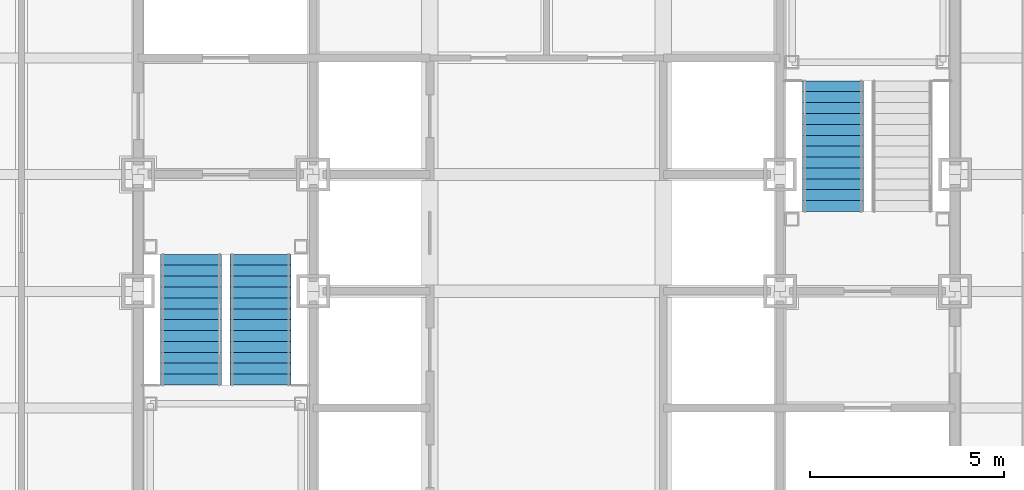
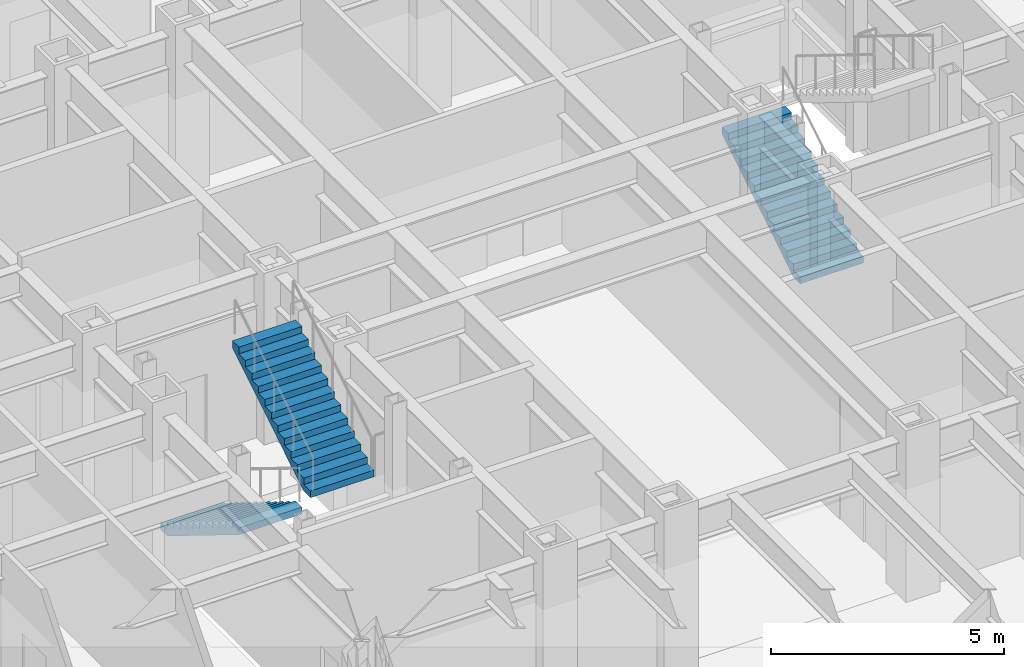
# One storey, part 12 of 17: 3 stair flights, 2 elements without a shape of their own.
"""IFC4 building model written with IfcOpenShell, lengths in metres."""

from ifc_helpers import new_model, si_unit, direction, frame, origin, place, context, subcontext, project, spatial, faceted_brep, material, type_object, element, aggregate, save


model = new_model("IFC4")

# Units and contexts
model_context = context("Model", 3, precision=1e-05, world=origin(), true_north=direction((0.0, 1.0)))
body_context = subcontext(model_context, "Body", "Model", "MODEL_VIEW")
ifc_project = project(units=[si_unit("LENGTHUNIT", "METRE"), si_unit("AREAUNIT", "SQUARE_METRE"), si_unit("VOLUMEUNIT", "CUBIC_METRE"), si_unit("PLANEANGLEUNIT", "RADIAN"), si_unit("MASSUNIT", "GRAM", prefix="KILO")], contexts=[model_context])

# Site, building, storey
site_placement = place(None, origin())
site = spatial("IfcSite", under=ifc_project, at=site_placement, CompositionType="ELEMENT")
building_placement = place(site_placement, origin())
building = spatial("IfcBuilding", under=site, at=building_placement, Name="Chuquiago Exchange Tower", CompositionType="ELEMENT")
storey_placement = place(building_placement, frame((0.0, 0.0, 42.300048828125)))
storey = spatial("IfcBuildingStorey", under=building, at=storey_placement, Name="L08", CompositionType="ELEMENT", Elevation=42.300048828125)

# Stair, stair flights
ifc_material_1 = material(Name="Concrete C30/37, precast", Category="concrete")
stair_type_1 = type_object("IfcStairType", Name="ST1 half-turn stair 4500", PredefinedType="HALF_TURN_STAIR", material=ifc_material_1)
stair_1_placement = place(storey_placement, origin())
stair_1 = element("IfcStair", 1, at=stair_1_placement, inside=storey, type_object=stair_type_1, Name="Stair ST1 L08", PredefinedType="HALF_TURN_STAIR")
ifc_material_2 = material(Name="Concrete C30/37, precast", Category="concrete")
stair_flight_type = type_object("IfcStairFlightType", Name="ST-F flight 1570 for 4500 storey", PredefinedType="STRAIGHT", material=ifc_material_2)
stair_flight_1_placement = place(storey_placement, frame((13.360107421875, 21.949951171875, 0.0), z_axis=(0.0, 0.0, 1.0), x_axis=(0.0, -1.0, 0.0)))
stair_flight_1 = element("IfcStairFlight", 2, at=stair_flight_1_placement, type_object=stair_flight_type, Name="ST1 flight 1", NumberOfRisers=13, NumberOfTreads=12, PredefinedType="STRAIGHT", RiserHeight=0.173076923, TreadLength=0.28, context=body_context, shape_type="Brep", body=[
    faceted_brep([(0.0, 0.78515625, 0.0), (0.0, 0.78515625, 0.173095703125), (0.280029296875, 0.78515625, 0.173095703125), (0.280029296875, 0.78515625, 0.34619140625), (0.56005859375, 0.78515625, 0.34619140625), (0.56005859375, 0.78515625, 0.519287109375), (0.840087890625, 0.78515625, 0.519287109375), (0.840087890625, 0.78515625, 0.6923828125), (1.1201171875, 0.78515625, 0.6923828125), (1.1201171875, 0.78515625, 0.865478515625), (1.39990234375, 0.78515625, 0.865478515625), (1.39990234375, 0.78515625, 1.03857421875), (1.679931640625, 0.78515625, 1.03857421875), (1.679931640625, 0.78515625, 1.21142578125), (1.9599609375, 0.78515625, 1.21142578125), (1.9599609375, 0.78515625, 1.384521484375), (2.239990234375, 0.78515625, 1.384521484375), (2.239990234375, 0.78515625, 1.5576171875), (2.52001953125, 0.78515625, 1.5576171875), (2.52001953125, 0.78515625, 1.730712890625), (2.800048828125, 0.78515625, 1.730712890625), (2.800048828125, 0.78515625, 1.90380859375), (3.080078125, 0.78515625, 1.90380859375), (3.080078125, 0.78515625, 2.076904296875), (3.360107421875, 0.78515625, 2.076904296875), (3.360107421875, 0.78515625, 1.900634765625), (0.28515625, 0.78515625, 0.0), (0.28515625, -0.78515625, 0.0), (3.360107421875, -0.78515625, 1.900634765625), (3.360107421875, -0.78515625, 2.076904296875), (3.080078125, -0.78515625, 2.076904296875), (3.080078125, -0.78515625, 1.90380859375), (2.800048828125, -0.78515625, 1.90380859375), (2.800048828125, -0.78515625, 1.730712890625), (2.52001953125, -0.78515625, 1.730712890625), (2.52001953125, -0.78515625, 1.5576171875), (2.239990234375, -0.78515625, 1.5576171875), (2.239990234375, -0.78515625, 1.384521484375), (1.9599609375, -0.78515625, 1.384521484375), (1.9599609375, -0.78515625, 1.21142578125), (1.679931640625, -0.78515625, 1.21142578125), (1.679931640625, -0.78515625, 1.03857421875), (1.39990234375, -0.78515625, 1.03857421875), (1.39990234375, -0.78515625, 0.865478515625), (1.1201171875, -0.78515625, 0.865478515625), (1.1201171875, -0.78515625, 0.6923828125), (0.840087890625, -0.78515625, 0.6923828125), (0.840087890625, -0.78515625, 0.519287109375), (0.56005859375, -0.78515625, 0.519287109375), (0.56005859375, -0.78515625, 0.34619140625), (0.280029296875, -0.78515625, 0.34619140625), (0.280029296875, -0.78515625, 0.173095703125), (0.0, -0.78515625, 0.173095703125), (0.0, -0.78515625, 0.0), (0.0, 0.392578125, 0.0), (0.0, 0.392578125, 0.173095703125), (0.0, 0.0, 0.0), (0.0, 0.0, 0.173095703125), (0.0, -0.392578125, 0.0), (0.0, -0.392578125, 0.173095703125), (0.280029296875, 0.392578125, 0.173095703125), (0.280029296875, 0.0, 0.173095703125), (0.280029296875, -0.392578125, 0.173095703125), (0.280029296875, 0.392578125, 0.34619140625), (0.280029296875, 0.0, 0.34619140625), (0.280029296875, -0.392578125, 0.34619140625), (0.56005859375, 0.392578125, 0.34619140625), (0.56005859375, 0.0, 0.34619140625), (0.56005859375, -0.392578125, 0.34619140625), (0.56005859375, 0.392578125, 0.519287109375), (0.56005859375, 0.0, 0.519287109375), (0.56005859375, -0.392578125, 0.519287109375), (0.840087890625, 0.392578125, 0.519287109375), (0.840087890625, 0.0, 0.519287109375), (0.840087890625, -0.392578125, 0.519287109375), (0.840087890625, 0.392578125, 0.6923828125), (0.840087890625, 0.0, 0.6923828125), (0.840087890625, -0.392578125, 0.6923828125), (1.1201171875, 0.392578125, 0.6923828125), (1.1201171875, 0.0, 0.6923828125), (1.1201171875, -0.392578125, 0.6923828125), (1.1201171875, 0.392578125, 0.865478515625), (1.1201171875, 0.0, 0.865478515625), (1.1201171875, -0.392578125, 0.865478515625), (1.39990234375, 0.392578125, 0.865478515625), (1.39990234375, 0.0, 0.865478515625), (1.39990234375, -0.392578125, 0.865478515625), (1.39990234375, 0.392578125, 1.03857421875), (1.39990234375, 0.0, 1.03857421875), (1.39990234375, -0.392578125, 1.03857421875), (1.679931640625, 0.392578125, 1.03857421875), (1.679931640625, 0.0, 1.03857421875), (1.679931640625, -0.392578125, 1.03857421875), (1.679931640625, 0.392578125, 1.21142578125), (1.679931640625, 0.0, 1.21142578125), (1.679931640625, -0.392578125, 1.21142578125), (1.9599609375, 0.392578125, 1.21142578125), (1.9599609375, 0.0, 1.21142578125), (1.9599609375, -0.392578125, 1.21142578125), (1.9599609375, 0.392578125, 1.384521484375), (1.9599609375, 0.0, 1.384521484375), (1.9599609375, -0.392578125, 1.384521484375), (2.239990234375, 0.392578125, 1.384521484375), (2.239990234375, 0.0, 1.384521484375), (2.239990234375, -0.392578125, 1.384521484375), (2.239990234375, 0.392578125, 1.5576171875), (2.239990234375, 0.0, 1.5576171875), (2.239990234375, -0.392578125, 1.5576171875), (2.52001953125, 0.392578125, 1.5576171875), (2.52001953125, 0.0, 1.5576171875), (2.52001953125, -0.392578125, 1.5576171875), (2.52001953125, 0.392578125, 1.730712890625), (2.52001953125, 0.0, 1.730712890625), (2.52001953125, -0.392578125, 1.730712890625), (2.800048828125, 0.392578125, 1.730712890625), (2.800048828125, 0.0, 1.730712890625), (2.800048828125, -0.392578125, 1.730712890625), (2.800048828125, 0.392578125, 1.90380859375), (2.800048828125, 0.0, 1.90380859375), (2.800048828125, -0.392578125, 1.90380859375), (3.080078125, 0.392578125, 1.90380859375), (3.080078125, 0.0, 1.90380859375), (3.080078125, -0.392578125, 1.90380859375), (3.080078125, 0.392578125, 2.076904296875), (3.080078125, 0.0, 2.076904296875), (3.080078125, -0.392578125, 2.076904296875), (3.360107421875, 0.392578125, 2.076904296875), (3.360107421875, 0.0, 2.076904296875), (3.360107421875, -0.392578125, 2.076904296875), (3.360107421875, 0.392578125, 1.900634765625), (3.360107421875, 0.0, 1.900634765625), (3.360107421875, -0.392578125, 1.900634765625), (0.28515625, 0.392578125, 0.0), (0.28515625, 0.0, 0.0), (0.28515625, -0.392578125, 0.0)], [[[0, 1, 2, 3, 4, 5, 6, 7, 8, 9, 10, 11, 12, 13, 14, 15, 16, 17, 18, 19, 20, 21, 22, 23, 24, 25, 26]], [[27, 28, 29, 30, 31, 32, 33, 34, 35, 36, 37, 38, 39, 40, 41, 42, 43, 44, 45, 46, 47, 48, 49, 50, 51, 52, 53]], [[1, 0, 54, 55]], [[55, 54, 56, 57]], [[57, 56, 58, 59]], [[59, 58, 53, 52]], [[2, 1, 55, 60]], [[60, 55, 57, 61]], [[61, 57, 59, 62]], [[62, 59, 52, 51]], [[3, 2, 60, 63]], [[63, 60, 61, 64]], [[64, 61, 62, 65]], [[65, 62, 51, 50]], [[4, 3, 63, 66]], [[66, 63, 64, 67]], [[67, 64, 65, 68]], [[68, 65, 50, 49]], [[5, 4, 66, 69]], [[69, 66, 67, 70]], [[70, 67, 68, 71]], [[71, 68, 49, 48]], [[6, 5, 69, 72]], [[72, 69, 70, 73]], [[73, 70, 71, 74]], [[74, 71, 48, 47]], [[7, 6, 72, 75]], [[75, 72, 73, 76]], [[76, 73, 74, 77]], [[77, 74, 47, 46]], [[8, 7, 75, 78]], [[78, 75, 76, 79]], [[79, 76, 77, 80]], [[80, 77, 46, 45]], [[9, 8, 78, 81]], [[81, 78, 79, 82]], [[82, 79, 80, 83]], [[83, 80, 45, 44]], [[10, 9, 81, 84]], [[84, 81, 82, 85]], [[85, 82, 83, 86]], [[86, 83, 44, 43]], [[11, 10, 84, 87]], [[87, 84, 85, 88]], [[88, 85, 86, 89]], [[89, 86, 43, 42]], [[12, 11, 87, 90]], [[90, 87, 88, 91]], [[91, 88, 89, 92]], [[92, 89, 42, 41]], [[13, 12, 90, 93]], [[93, 90, 91, 94]], [[94, 91, 92, 95]], [[95, 92, 41, 40]], [[14, 13, 93, 96]], [[96, 93, 94, 97]], [[97, 94, 95, 98]], [[98, 95, 40, 39]], [[15, 14, 96, 99]], [[99, 96, 97, 100]], [[100, 97, 98, 101]], [[101, 98, 39, 38]], [[16, 15, 99, 102]], [[102, 99, 100, 103]], [[103, 100, 101, 104]], [[104, 101, 38, 37]], [[17, 16, 102, 105]], [[105, 102, 103, 106]], [[106, 103, 104, 107]], [[107, 104, 37, 36]], [[18, 17, 105, 108]], [[108, 105, 106, 109]], [[109, 106, 107, 110]], [[110, 107, 36, 35]], [[19, 18, 108, 111]], [[111, 108, 109, 112]], [[112, 109, 110, 113]], [[113, 110, 35, 34]], [[20, 19, 111, 114]], [[114, 111, 112, 115]], [[115, 112, 113, 116]], [[116, 113, 34, 33]], [[21, 20, 114, 117]], [[117, 114, 115, 118]], [[118, 115, 116, 119]], [[119, 116, 33, 32]], [[22, 21, 117, 120]], [[120, 117, 118, 121]], [[121, 118, 119, 122]], [[122, 119, 32, 31]], [[23, 22, 120, 123]], [[123, 120, 121, 124]], [[124, 121, 122, 125]], [[125, 122, 31, 30]], [[24, 23, 123, 126]], [[126, 123, 124, 127]], [[127, 124, 125, 128]], [[128, 125, 30, 29]], [[25, 24, 126, 129]], [[129, 126, 127, 130]], [[130, 127, 128, 131]], [[131, 128, 29, 28]], [[26, 25, 129, 132]], [[132, 129, 130, 133]], [[133, 130, 131, 134]], [[134, 131, 28, 27]], [[0, 26, 132, 54]], [[54, 132, 133, 56]], [[56, 133, 134, 58]], [[58, 134, 27, 53]]]),
])
stair_flight_2_placement = place(storey_placement, frame((15.139892578125, 18.590087890625, 2.25), z_axis=(0.0, 0.0, 1.0), x_axis=(0.0, 1.0, 0.0)))
stair_flight_2 = element("IfcStairFlight", 3, at=stair_flight_2_placement, type_object=stair_flight_type, Name="ST1 flight 2", NumberOfRisers=13, NumberOfTreads=12, PredefinedType="STRAIGHT", RiserHeight=0.173076923, TreadLength=0.28, context=body_context, shape_type="Brep", body=[
    faceted_brep([(0.0, 0.78515625, 0.0), (0.0, 0.78515625, 0.173095703125), (0.280029296875, 0.78515625, 0.173095703125), (0.280029296875, 0.78515625, 0.34619140625), (0.56005859375, 0.78515625, 0.34619140625), (0.56005859375, 0.78515625, 0.519287109375), (0.840087890625, 0.78515625, 0.519287109375), (0.840087890625, 0.78515625, 0.6923828125), (1.1201171875, 0.78515625, 0.6923828125), (1.1201171875, 0.78515625, 0.865478515625), (1.39990234375, 0.78515625, 0.865478515625), (1.39990234375, 0.78515625, 1.03857421875), (1.679931640625, 0.78515625, 1.03857421875), (1.679931640625, 0.78515625, 1.21142578125), (1.9599609375, 0.78515625, 1.21142578125), (1.9599609375, 0.78515625, 1.384521484375), (2.239990234375, 0.78515625, 1.384521484375), (2.239990234375, 0.78515625, 1.5576171875), (2.52001953125, 0.78515625, 1.5576171875), (2.52001953125, 0.78515625, 1.730712890625), (2.800048828125, 0.78515625, 1.730712890625), (2.800048828125, 0.78515625, 1.90380859375), (3.080078125, 0.78515625, 1.90380859375), (3.080078125, 0.78515625, 2.076904296875), (3.360107421875, 0.78515625, 2.076904296875), (3.360107421875, 0.78515625, 1.900634765625), (0.28515625, 0.78515625, 0.0), (0.28515625, -0.78515625, 0.0), (3.360107421875, -0.78515625, 1.900634765625), (3.360107421875, -0.78515625, 2.076904296875), (3.080078125, -0.78515625, 2.076904296875), (3.080078125, -0.78515625, 1.90380859375), (2.800048828125, -0.78515625, 1.90380859375), (2.800048828125, -0.78515625, 1.730712890625), (2.52001953125, -0.78515625, 1.730712890625), (2.52001953125, -0.78515625, 1.5576171875), (2.239990234375, -0.78515625, 1.5576171875), (2.239990234375, -0.78515625, 1.384521484375), (1.9599609375, -0.78515625, 1.384521484375), (1.9599609375, -0.78515625, 1.21142578125), (1.679931640625, -0.78515625, 1.21142578125), (1.679931640625, -0.78515625, 1.03857421875), (1.39990234375, -0.78515625, 1.03857421875), (1.39990234375, -0.78515625, 0.865478515625), (1.1201171875, -0.78515625, 0.865478515625), (1.1201171875, -0.78515625, 0.6923828125), (0.840087890625, -0.78515625, 0.6923828125), (0.840087890625, -0.78515625, 0.519287109375), (0.56005859375, -0.78515625, 0.519287109375), (0.56005859375, -0.78515625, 0.34619140625), (0.280029296875, -0.78515625, 0.34619140625), (0.280029296875, -0.78515625, 0.173095703125), (0.0, -0.78515625, 0.173095703125), (0.0, -0.78515625, 0.0), (0.0, 0.392578125, 0.0), (0.0, 0.392578125, 0.173095703125), (0.0, 0.0, 0.0), (0.0, 0.0, 0.173095703125), (0.0, -0.392578125, 0.0), (0.0, -0.392578125, 0.173095703125), (0.280029296875, 0.392578125, 0.173095703125), (0.280029296875, 0.0, 0.173095703125), (0.280029296875, -0.392578125, 0.173095703125), (0.280029296875, 0.392578125, 0.34619140625), (0.280029296875, 0.0, 0.34619140625), (0.280029296875, -0.392578125, 0.34619140625), (0.56005859375, 0.392578125, 0.34619140625), (0.56005859375, 0.0, 0.34619140625), (0.56005859375, -0.392578125, 0.34619140625), (0.56005859375, 0.392578125, 0.519287109375), (0.56005859375, 0.0, 0.519287109375), (0.56005859375, -0.392578125, 0.519287109375), (0.840087890625, 0.392578125, 0.519287109375), (0.840087890625, 0.0, 0.519287109375), (0.840087890625, -0.392578125, 0.519287109375), (0.840087890625, 0.392578125, 0.6923828125), (0.840087890625, 0.0, 0.6923828125), (0.840087890625, -0.392578125, 0.6923828125), (1.1201171875, 0.392578125, 0.6923828125), (1.1201171875, 0.0, 0.6923828125), (1.1201171875, -0.392578125, 0.6923828125), (1.1201171875, 0.392578125, 0.865478515625), (1.1201171875, 0.0, 0.865478515625), (1.1201171875, -0.392578125, 0.865478515625), (1.39990234375, 0.392578125, 0.865478515625), (1.39990234375, 0.0, 0.865478515625), (1.39990234375, -0.392578125, 0.865478515625), (1.39990234375, 0.392578125, 1.03857421875), (1.39990234375, 0.0, 1.03857421875), (1.39990234375, -0.392578125, 1.03857421875), (1.679931640625, 0.392578125, 1.03857421875), (1.679931640625, 0.0, 1.03857421875), (1.679931640625, -0.392578125, 1.03857421875), (1.679931640625, 0.392578125, 1.21142578125), (1.679931640625, 0.0, 1.21142578125), (1.679931640625, -0.392578125, 1.21142578125), (1.9599609375, 0.392578125, 1.21142578125), (1.9599609375, 0.0, 1.21142578125), (1.9599609375, -0.392578125, 1.21142578125), (1.9599609375, 0.392578125, 1.384521484375), (1.9599609375, 0.0, 1.384521484375), (1.9599609375, -0.392578125, 1.384521484375), (2.239990234375, 0.392578125, 1.384521484375), (2.239990234375, 0.0, 1.384521484375), (2.239990234375, -0.392578125, 1.384521484375), (2.239990234375, 0.392578125, 1.5576171875), (2.239990234375, 0.0, 1.5576171875), (2.239990234375, -0.392578125, 1.5576171875), (2.52001953125, 0.392578125, 1.5576171875), (2.52001953125, 0.0, 1.5576171875), (2.52001953125, -0.392578125, 1.5576171875), (2.52001953125, 0.392578125, 1.730712890625), (2.52001953125, 0.0, 1.730712890625), (2.52001953125, -0.392578125, 1.730712890625), (2.800048828125, 0.392578125, 1.730712890625), (2.800048828125, 0.0, 1.730712890625), (2.800048828125, -0.392578125, 1.730712890625), (2.800048828125, 0.392578125, 1.90380859375), (2.800048828125, 0.0, 1.90380859375), (2.800048828125, -0.392578125, 1.90380859375), (3.080078125, 0.392578125, 1.90380859375), (3.080078125, 0.0, 1.90380859375), (3.080078125, -0.392578125, 1.90380859375), (3.080078125, 0.392578125, 2.076904296875), (3.080078125, 0.0, 2.076904296875), (3.080078125, -0.392578125, 2.076904296875), (3.360107421875, 0.392578125, 2.076904296875), (3.360107421875, 0.0, 2.076904296875), (3.360107421875, -0.392578125, 2.076904296875), (3.360107421875, 0.392578125, 1.900634765625), (3.360107421875, 0.0, 1.900634765625), (3.360107421875, -0.392578125, 1.900634765625), (0.28515625, 0.392578125, 0.0), (0.28515625, 0.0, 0.0), (0.28515625, -0.392578125, 0.0)], [[[0, 1, 2, 3, 4, 5, 6, 7, 8, 9, 10, 11, 12, 13, 14, 15, 16, 17, 18, 19, 20, 21, 22, 23, 24, 25, 26]], [[27, 28, 29, 30, 31, 32, 33, 34, 35, 36, 37, 38, 39, 40, 41, 42, 43, 44, 45, 46, 47, 48, 49, 50, 51, 52, 53]], [[1, 0, 54, 55]], [[55, 54, 56, 57]], [[57, 56, 58, 59]], [[59, 58, 53, 52]], [[2, 1, 55, 60]], [[60, 55, 57, 61]], [[61, 57, 59, 62]], [[62, 59, 52, 51]], [[3, 2, 60, 63]], [[63, 60, 61, 64]], [[64, 61, 62, 65]], [[65, 62, 51, 50]], [[4, 3, 63, 66]], [[66, 63, 64, 67]], [[67, 64, 65, 68]], [[68, 65, 50, 49]], [[5, 4, 66, 69]], [[69, 66, 67, 70]], [[70, 67, 68, 71]], [[71, 68, 49, 48]], [[6, 5, 69, 72]], [[72, 69, 70, 73]], [[73, 70, 71, 74]], [[74, 71, 48, 47]], [[7, 6, 72, 75]], [[75, 72, 73, 76]], [[76, 73, 74, 77]], [[77, 74, 47, 46]], [[8, 7, 75, 78]], [[78, 75, 76, 79]], [[79, 76, 77, 80]], [[80, 77, 46, 45]], [[9, 8, 78, 81]], [[81, 78, 79, 82]], [[82, 79, 80, 83]], [[83, 80, 45, 44]], [[10, 9, 81, 84]], [[84, 81, 82, 85]], [[85, 82, 83, 86]], [[86, 83, 44, 43]], [[11, 10, 84, 87]], [[87, 84, 85, 88]], [[88, 85, 86, 89]], [[89, 86, 43, 42]], [[12, 11, 87, 90]], [[90, 87, 88, 91]], [[91, 88, 89, 92]], [[92, 89, 42, 41]], [[13, 12, 90, 93]], [[93, 90, 91, 94]], [[94, 91, 92, 95]], [[95, 92, 41, 40]], [[14, 13, 93, 96]], [[96, 93, 94, 97]], [[97, 94, 95, 98]], [[98, 95, 40, 39]], [[15, 14, 96, 99]], [[99, 96, 97, 100]], [[100, 97, 98, 101]], [[101, 98, 39, 38]], [[16, 15, 99, 102]], [[102, 99, 100, 103]], [[103, 100, 101, 104]], [[104, 101, 38, 37]], [[17, 16, 102, 105]], [[105, 102, 103, 106]], [[106, 103, 104, 107]], [[107, 104, 37, 36]], [[18, 17, 105, 108]], [[108, 105, 106, 109]], [[109, 106, 107, 110]], [[110, 107, 36, 35]], [[19, 18, 108, 111]], [[111, 108, 109, 112]], [[112, 109, 110, 113]], [[113, 110, 35, 34]], [[20, 19, 111, 114]], [[114, 111, 112, 115]], [[115, 112, 113, 116]], [[116, 113, 34, 33]], [[21, 20, 114, 117]], [[117, 114, 115, 118]], [[118, 115, 116, 119]], [[119, 116, 33, 32]], [[22, 21, 117, 120]], [[120, 117, 118, 121]], [[121, 118, 119, 122]], [[122, 119, 32, 31]], [[23, 22, 120, 123]], [[123, 120, 121, 124]], [[124, 121, 122, 125]], [[125, 122, 31, 30]], [[24, 23, 123, 126]], [[126, 123, 124, 127]], [[127, 124, 125, 128]], [[128, 125, 30, 29]], [[25, 24, 126, 129]], [[129, 126, 127, 130]], [[130, 127, 128, 131]], [[131, 128, 29, 28]], [[26, 25, 129, 132]], [[132, 129, 130, 133]], [[133, 130, 131, 134]], [[134, 131, 28, 27]], [[0, 26, 132, 54]], [[54, 132, 133, 56]], [[56, 133, 134, 58]], [[58, 134, 27, 53]]]),
])
aggregate(stair_1, [stair_flight_1, stair_flight_2])

# Stair, stair flight
ifc_material_3 = material(Name="Concrete C30/37, precast", Category="concrete")
stair_type_2 = type_object("IfcStairType", Name="ST2 half-turn stair 4500", PredefinedType="HALF_TURN_STAIR", material=ifc_material_3)
stair_2_placement = place(storey_placement, origin())
stair_2 = element("IfcStair", 4, at=stair_2_placement, inside=storey, type_object=stair_type_2, Name="Stair ST2 L08", PredefinedType="HALF_TURN_STAIR")
stair_flight_3_placement = place(storey_placement, frame((29.860107421875, 23.050048828125, 0.0), z_axis=(0.0, 0.0, 1.0), x_axis=(0.0, 1.0, 0.0)))
stair_flight_3 = element("IfcStairFlight", 5, at=stair_flight_3_placement, type_object=stair_flight_type, Name="ST2 flight 1", NumberOfRisers=13, NumberOfTreads=12, PredefinedType="STRAIGHT", RiserHeight=0.173076923, TreadLength=0.28, context=body_context, shape_type="Brep", body=[
    faceted_brep([(0.0, 0.78515625, 0.0), (0.0, 0.78515625, 0.173095703125), (0.280029296875, 0.78515625, 0.173095703125), (0.280029296875, 0.78515625, 0.34619140625), (0.56005859375, 0.78515625, 0.34619140625), (0.56005859375, 0.78515625, 0.519287109375), (0.840087890625, 0.78515625, 0.519287109375), (0.840087890625, 0.78515625, 0.6923828125), (1.1201171875, 0.78515625, 0.6923828125), (1.1201171875, 0.78515625, 0.865478515625), (1.39990234375, 0.78515625, 0.865478515625), (1.39990234375, 0.78515625, 1.03857421875), (1.679931640625, 0.78515625, 1.03857421875), (1.679931640625, 0.78515625, 1.21142578125), (1.9599609375, 0.78515625, 1.21142578125), (1.9599609375, 0.78515625, 1.384521484375), (2.239990234375, 0.78515625, 1.384521484375), (2.239990234375, 0.78515625, 1.5576171875), (2.52001953125, 0.78515625, 1.5576171875), (2.52001953125, 0.78515625, 1.730712890625), (2.800048828125, 0.78515625, 1.730712890625), (2.800048828125, 0.78515625, 1.90380859375), (3.080078125, 0.78515625, 1.90380859375), (3.080078125, 0.78515625, 2.076904296875), (3.360107421875, 0.78515625, 2.076904296875), (3.360107421875, 0.78515625, 1.900634765625), (0.28515625, 0.78515625, 0.0), (0.28515625, -0.78515625, 0.0), (3.360107421875, -0.78515625, 1.900634765625), (3.360107421875, -0.78515625, 2.076904296875), (3.080078125, -0.78515625, 2.076904296875), (3.080078125, -0.78515625, 1.90380859375), (2.800048828125, -0.78515625, 1.90380859375), (2.800048828125, -0.78515625, 1.730712890625), (2.52001953125, -0.78515625, 1.730712890625), (2.52001953125, -0.78515625, 1.5576171875), (2.239990234375, -0.78515625, 1.5576171875), (2.239990234375, -0.78515625, 1.384521484375), (1.9599609375, -0.78515625, 1.384521484375), (1.9599609375, -0.78515625, 1.21142578125), (1.679931640625, -0.78515625, 1.21142578125), (1.679931640625, -0.78515625, 1.03857421875), (1.39990234375, -0.78515625, 1.03857421875), (1.39990234375, -0.78515625, 0.865478515625), (1.1201171875, -0.78515625, 0.865478515625), (1.1201171875, -0.78515625, 0.6923828125), (0.840087890625, -0.78515625, 0.6923828125), (0.840087890625, -0.78515625, 0.519287109375), (0.56005859375, -0.78515625, 0.519287109375), (0.56005859375, -0.78515625, 0.34619140625), (0.280029296875, -0.78515625, 0.34619140625), (0.280029296875, -0.78515625, 0.173095703125), (0.0, -0.78515625, 0.173095703125), (0.0, -0.78515625, 0.0), (0.0, 0.392578125, 0.0), (0.0, 0.392578125, 0.173095703125), (0.0, 0.0, 0.0), (0.0, 0.0, 0.173095703125), (0.0, -0.392578125, 0.0), (0.0, -0.392578125, 0.173095703125), (0.280029296875, 0.392578125, 0.173095703125), (0.280029296875, 0.0, 0.173095703125), (0.280029296875, -0.392578125, 0.173095703125), (0.280029296875, 0.392578125, 0.34619140625), (0.280029296875, 0.0, 0.34619140625), (0.280029296875, -0.392578125, 0.34619140625), (0.56005859375, 0.392578125, 0.34619140625), (0.56005859375, 0.0, 0.34619140625), (0.56005859375, -0.392578125, 0.34619140625), (0.56005859375, 0.392578125, 0.519287109375), (0.56005859375, 0.0, 0.519287109375), (0.56005859375, -0.392578125, 0.519287109375), (0.840087890625, 0.392578125, 0.519287109375), (0.840087890625, 0.0, 0.519287109375), (0.840087890625, -0.392578125, 0.519287109375), (0.840087890625, 0.392578125, 0.6923828125), (0.840087890625, 0.0, 0.6923828125), (0.840087890625, -0.392578125, 0.6923828125), (1.1201171875, 0.392578125, 0.6923828125), (1.1201171875, 0.0, 0.6923828125), (1.1201171875, -0.392578125, 0.6923828125), (1.1201171875, 0.392578125, 0.865478515625), (1.1201171875, 0.0, 0.865478515625), (1.1201171875, -0.392578125, 0.865478515625), (1.39990234375, 0.392578125, 0.865478515625), (1.39990234375, 0.0, 0.865478515625), (1.39990234375, -0.392578125, 0.865478515625), (1.39990234375, 0.392578125, 1.03857421875), (1.39990234375, 0.0, 1.03857421875), (1.39990234375, -0.392578125, 1.03857421875), (1.679931640625, 0.392578125, 1.03857421875), (1.679931640625, 0.0, 1.03857421875), (1.679931640625, -0.392578125, 1.03857421875), (1.679931640625, 0.392578125, 1.21142578125), (1.679931640625, 0.0, 1.21142578125), (1.679931640625, -0.392578125, 1.21142578125), (1.9599609375, 0.392578125, 1.21142578125), (1.9599609375, 0.0, 1.21142578125), (1.9599609375, -0.392578125, 1.21142578125), (1.9599609375, 0.392578125, 1.384521484375), (1.9599609375, 0.0, 1.384521484375), (1.9599609375, -0.392578125, 1.384521484375), (2.239990234375, 0.392578125, 1.384521484375), (2.239990234375, 0.0, 1.384521484375), (2.239990234375, -0.392578125, 1.384521484375), (2.239990234375, 0.392578125, 1.5576171875), (2.239990234375, 0.0, 1.5576171875), (2.239990234375, -0.392578125, 1.5576171875), (2.52001953125, 0.392578125, 1.5576171875), (2.52001953125, 0.0, 1.5576171875), (2.52001953125, -0.392578125, 1.5576171875), (2.52001953125, 0.392578125, 1.730712890625), (2.52001953125, 0.0, 1.730712890625), (2.52001953125, -0.392578125, 1.730712890625), (2.800048828125, 0.392578125, 1.730712890625), (2.800048828125, 0.0, 1.730712890625), (2.800048828125, -0.392578125, 1.730712890625), (2.800048828125, 0.392578125, 1.90380859375), (2.800048828125, 0.0, 1.90380859375), (2.800048828125, -0.392578125, 1.90380859375), (3.080078125, 0.392578125, 1.90380859375), (3.080078125, 0.0, 1.90380859375), (3.080078125, -0.392578125, 1.90380859375), (3.080078125, 0.392578125, 2.076904296875), (3.080078125, 0.0, 2.076904296875), (3.080078125, -0.392578125, 2.076904296875), (3.360107421875, 0.392578125, 2.076904296875), (3.360107421875, 0.0, 2.076904296875), (3.360107421875, -0.392578125, 2.076904296875), (3.360107421875, 0.392578125, 1.900634765625), (3.360107421875, 0.0, 1.900634765625), (3.360107421875, -0.392578125, 1.900634765625), (0.28515625, 0.392578125, 0.0), (0.28515625, 0.0, 0.0), (0.28515625, -0.392578125, 0.0)], [[[0, 1, 2, 3, 4, 5, 6, 7, 8, 9, 10, 11, 12, 13, 14, 15, 16, 17, 18, 19, 20, 21, 22, 23, 24, 25, 26]], [[27, 28, 29, 30, 31, 32, 33, 34, 35, 36, 37, 38, 39, 40, 41, 42, 43, 44, 45, 46, 47, 48, 49, 50, 51, 52, 53]], [[1, 0, 54, 55]], [[55, 54, 56, 57]], [[57, 56, 58, 59]], [[59, 58, 53, 52]], [[2, 1, 55, 60]], [[60, 55, 57, 61]], [[61, 57, 59, 62]], [[62, 59, 52, 51]], [[3, 2, 60, 63]], [[63, 60, 61, 64]], [[64, 61, 62, 65]], [[65, 62, 51, 50]], [[4, 3, 63, 66]], [[66, 63, 64, 67]], [[67, 64, 65, 68]], [[68, 65, 50, 49]], [[5, 4, 66, 69]], [[69, 66, 67, 70]], [[70, 67, 68, 71]], [[71, 68, 49, 48]], [[6, 5, 69, 72]], [[72, 69, 70, 73]], [[73, 70, 71, 74]], [[74, 71, 48, 47]], [[7, 6, 72, 75]], [[75, 72, 73, 76]], [[76, 73, 74, 77]], [[77, 74, 47, 46]], [[8, 7, 75, 78]], [[78, 75, 76, 79]], [[79, 76, 77, 80]], [[80, 77, 46, 45]], [[9, 8, 78, 81]], [[81, 78, 79, 82]], [[82, 79, 80, 83]], [[83, 80, 45, 44]], [[10, 9, 81, 84]], [[84, 81, 82, 85]], [[85, 82, 83, 86]], [[86, 83, 44, 43]], [[11, 10, 84, 87]], [[87, 84, 85, 88]], [[88, 85, 86, 89]], [[89, 86, 43, 42]], [[12, 11, 87, 90]], [[90, 87, 88, 91]], [[91, 88, 89, 92]], [[92, 89, 42, 41]], [[13, 12, 90, 93]], [[93, 90, 91, 94]], [[94, 91, 92, 95]], [[95, 92, 41, 40]], [[14, 13, 93, 96]], [[96, 93, 94, 97]], [[97, 94, 95, 98]], [[98, 95, 40, 39]], [[15, 14, 96, 99]], [[99, 96, 97, 100]], [[100, 97, 98, 101]], [[101, 98, 39, 38]], [[16, 15, 99, 102]], [[102, 99, 100, 103]], [[103, 100, 101, 104]], [[104, 101, 38, 37]], [[17, 16, 102, 105]], [[105, 102, 103, 106]], [[106, 103, 104, 107]], [[107, 104, 37, 36]], [[18, 17, 105, 108]], [[108, 105, 106, 109]], [[109, 106, 107, 110]], [[110, 107, 36, 35]], [[19, 18, 108, 111]], [[111, 108, 109, 112]], [[112, 109, 110, 113]], [[113, 110, 35, 34]], [[20, 19, 111, 114]], [[114, 111, 112, 115]], [[115, 112, 113, 116]], [[116, 113, 34, 33]], [[21, 20, 114, 117]], [[117, 114, 115, 118]], [[118, 115, 116, 119]], [[119, 116, 33, 32]], [[22, 21, 117, 120]], [[120, 117, 118, 121]], [[121, 118, 119, 122]], [[122, 119, 32, 31]], [[23, 22, 120, 123]], [[123, 120, 121, 124]], [[124, 121, 122, 125]], [[125, 122, 31, 30]], [[24, 23, 123, 126]], [[126, 123, 124, 127]], [[127, 124, 125, 128]], [[128, 125, 30, 29]], [[25, 24, 126, 129]], [[129, 126, 127, 130]], [[130, 127, 128, 131]], [[131, 128, 29, 28]], [[26, 25, 129, 132]], [[132, 129, 130, 133]], [[133, 130, 131, 134]], [[134, 131, 28, 27]], [[0, 26, 132, 54]], [[54, 132, 133, 56]], [[56, 133, 134, 58]], [[58, 134, 27, 53]]]),
])
aggregate(stair_2, [stair_flight_3])

save(model, "model.ifc")
